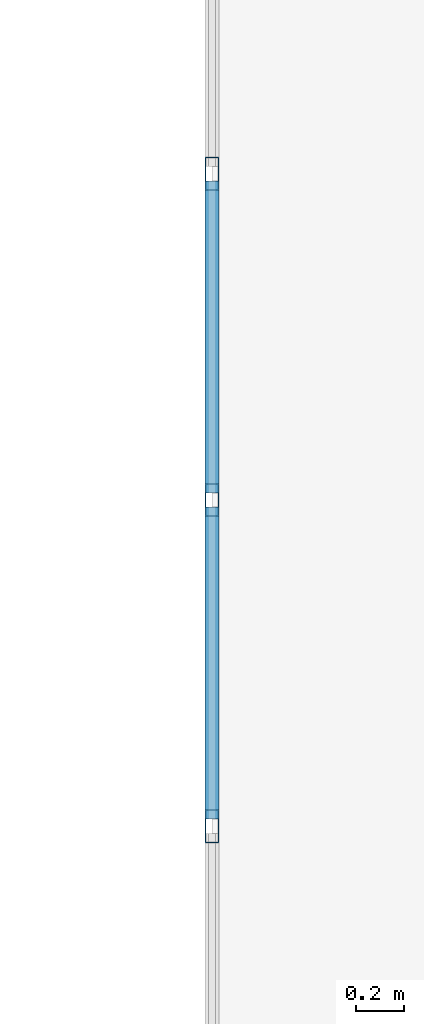
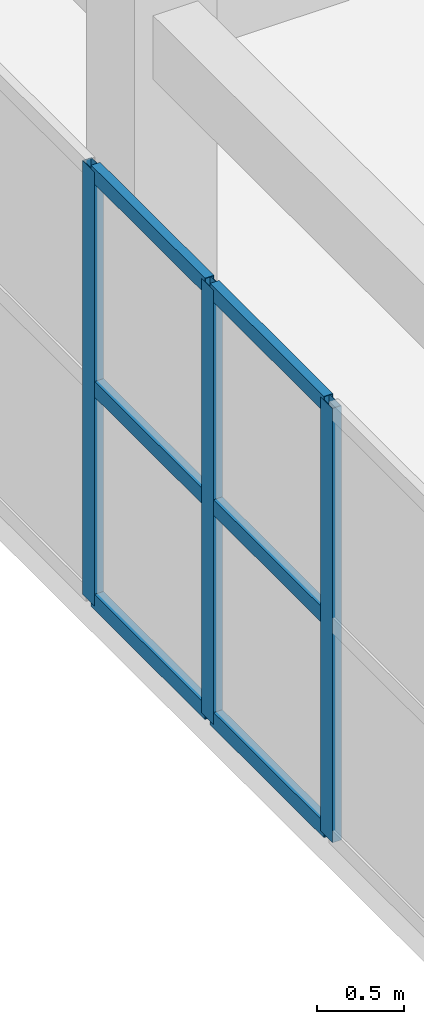
# One storey, part 53 of 148: 9 members, 1 element without a shape of its own.
"""IFC4 building model written with IfcOpenShell, lengths in metres."""

from ifc_helpers import new_model, si_unit, direction, frame, origin, origin_2d, place, context, subcontext, project, spatial, hollow_rectangle, extrude, material, layer, layer_set, material_profile, profile_set, type_object, element, aggregate, save


model = new_model("IFC4")

# Units and contexts
model_context = context("Model", 3, precision=1e-05, world=origin(), true_north=direction((0.0, 1.0)))
body_context = subcontext(model_context, "Body", "Model", "MODEL_VIEW")
ifc_project = project(units=[si_unit("LENGTHUNIT", "METRE"), si_unit("AREAUNIT", "SQUARE_METRE"), si_unit("VOLUMEUNIT", "CUBIC_METRE"), si_unit("PLANEANGLEUNIT", "RADIAN"), si_unit("MASSUNIT", "GRAM", prefix="KILO")], contexts=[model_context])

# Site, building, storey
site_placement = place(None, origin())
site = spatial("IfcSite", under=ifc_project, at=site_placement, CompositionType="ELEMENT")
building_placement = place(site_placement, origin())
building = spatial("IfcBuilding", under=site, at=building_placement, Name="Trelvath General Hospital", CompositionType="ELEMENT")
storey_placement = place(building_placement, frame((0.0, 0.0, 12.89990234375)))
storey = spatial("IfcBuildingStorey", under=building, at=storey_placement, Name="L03", CompositionType="ELEMENT", Elevation=12.89990234375)

# Curtain wall, members
ifc_material_1 = material(Name="Anodised aluminium and low-E glass", Category="aluminium")
ifc_layer = layer(ifc_material_1, 0.14990234375)
ifc_layer_set = layer_set([ifc_layer], Name="Anodised aluminium and low-E glass")
curtain_wall_type = type_object("IfcCurtainWallType", Name="CW CrystalCube 824 306 15", PredefinedType="USERDEFINED", material=ifc_layer_set)
curtain_wall_placement = place(storey_placement, origin())
curtain_wall = element("IfcCurtainWall", 1, at=curtain_wall_placement, inside=storey, type_object=curtain_wall_type, Name="Crystal Cube Curtain Wall CUBE-W-T1 W4 L03", ObjectType="Unitised Glazed Curtain Wall", PredefinedType="USERDEFINED")
ifc_material_2 = material(Name="Anodised aluminium", Category="aluminium")
ifc_material_profile_1 = material_profile(ifc_material_2, hollow_rectangle(XDim=0.06005859375, YDim=0.139892578125, WallThickness=0.00390625, at=origin_2d()), Name="RHS60x140x4")
ifc_profile_set_1 = profile_set([ifc_material_profile_1], Name="Anodised aluminium")
member_type_1 = type_object("IfcMemberType", Name="CurtainMullion 60x140", PredefinedType="MULLION", material=ifc_profile_set_1)
member_1_placement = place(storey_placement, frame((53.199951171875, 68.6533203125, 0.0), z_axis=(0.0, 0.0, 1.0), x_axis=(-1.0, 0.0, 0.0)))
member_1 = element("IfcMember", 2, at=member_1_placement, type_object=member_type_1, Name="CW-240 mullion 2", PredefinedType="MULLION", context=body_context, shape_type="SweptSolid", body=[
    extrude(hollow_rectangle(XDim=0.06005859375, YDim=0.139892578125, WallThickness=0.00390625, at=origin_2d()), origin(), (0.0, 0.0, 1.0), 3.06005859375),
])
member_2_placement = place(storey_placement, frame((53.199951171875, 70.026611328125, 0.0), z_axis=(0.0, 0.0, 1.0), x_axis=(-1.0, 0.0, 0.0)))
member_2 = element("IfcMember", 3, at=member_2_placement, type_object=member_type_1, Name="CW-240 mullion 3", PredefinedType="MULLION", context=body_context, shape_type="SweptSolid", body=[
    extrude(hollow_rectangle(XDim=0.06005859375, YDim=0.139892578125, WallThickness=0.00390625, at=origin_2d()), origin(), (0.0, 0.0, 1.0), 3.06005859375),
])
member_3_placement = place(storey_placement, frame((53.199951171875, 71.39990234375, 0.0), z_axis=(0.0, 0.0, 1.0), x_axis=(-1.0, 0.0, 0.0)))
member_3 = element("IfcMember", 4, at=member_3_placement, type_object=member_type_1, Name="CW-240 mullion 4", PredefinedType="MULLION", context=body_context, shape_type="SweptSolid", body=[
    extrude(hollow_rectangle(XDim=0.06005859375, YDim=0.139892578125, WallThickness=0.00390625, at=origin_2d()), origin(), (0.0, 0.0, 1.0), 3.06005859375),
])
ifc_material_3 = material(Name="Anodised aluminium", Category="aluminium")
ifc_material_profile_2 = material_profile(ifc_material_3, hollow_rectangle(XDim=0.06005859375, YDim=0.110107421875, WallThickness=0.00390625, at=origin_2d()), Name="RHS60x110x4")
ifc_profile_set_2 = profile_set([ifc_material_profile_2], Name="Anodised aluminium")
member_type_2 = type_object("IfcMemberType", Name="CurtainTransom 60x110", PredefinedType="USERDEFINED", material=ifc_profile_set_2)
member_4_placement = place(storey_placement, frame((53.199951171875, 68.683349609375, 0.030029296875), z_axis=(0.0, 1.0, 0.0), x_axis=(-1.0, 0.0, 0.0)))
member_4 = element("IfcMember", 5, at=member_4_placement, type_object=member_type_2, Name="CW-240 transom 2.1", ObjectType="TRANSOM", PredefinedType="USERDEFINED", context=body_context, shape_type="SweptSolid", body=[
    extrude(hollow_rectangle(XDim=0.06005859375, YDim=0.110107421875, WallThickness=0.00390625, at=origin_2d()), origin(), (0.0, 0.0, 1.0), 1.313232421875),
])
member_5_placement = place(storey_placement, frame((53.199951171875, 68.683349609375, 1.530029296875), z_axis=(0.0, 1.0, 0.0), x_axis=(-1.0, 0.0, 0.0)))
member_5 = element("IfcMember", 6, at=member_5_placement, type_object=member_type_2, Name="CW-240 transom 2.2", ObjectType="TRANSOM", PredefinedType="USERDEFINED", context=body_context, shape_type="SweptSolid", body=[
    extrude(hollow_rectangle(XDim=0.06005859375, YDim=0.110107421875, WallThickness=0.00390625, at=origin_2d()), origin(), (0.0, 0.0, 1.0), 1.313232421875),
])
member_6_placement = place(storey_placement, frame((53.199951171875, 68.683349609375, 3.030029296875), z_axis=(0.0, 1.0, 0.0), x_axis=(-1.0, 0.0, 0.0)))
member_6 = element("IfcMember", 7, at=member_6_placement, type_object=member_type_2, Name="CW-240 transom 2.3", ObjectType="TRANSOM", PredefinedType="USERDEFINED", context=body_context, shape_type="SweptSolid", body=[
    extrude(hollow_rectangle(XDim=0.06005859375, YDim=0.110107421875, WallThickness=0.00390625, at=origin_2d()), origin(), (0.0, 0.0, 1.0), 1.313232421875),
])
member_7_placement = place(storey_placement, frame((53.199951171875, 70.056640625, 0.030029296875), z_axis=(0.0, 1.0, 0.0), x_axis=(-1.0, 0.0, 0.0)))
member_7 = element("IfcMember", 8, at=member_7_placement, type_object=member_type_2, Name="CW-240 transom 3.1", ObjectType="TRANSOM", PredefinedType="USERDEFINED", context=body_context, shape_type="SweptSolid", body=[
    extrude(hollow_rectangle(XDim=0.06005859375, YDim=0.110107421875, WallThickness=0.00390625, at=origin_2d()), origin(), (0.0, 0.0, 1.0), 1.3134765625),
])
member_8_placement = place(storey_placement, frame((53.199951171875, 70.056640625, 1.530029296875), z_axis=(0.0, 1.0, 0.0), x_axis=(-1.0, 0.0, 0.0)))
member_8 = element("IfcMember", 9, at=member_8_placement, type_object=member_type_2, Name="CW-240 transom 3.2", ObjectType="TRANSOM", PredefinedType="USERDEFINED", context=body_context, shape_type="SweptSolid", body=[
    extrude(hollow_rectangle(XDim=0.06005859375, YDim=0.110107421875, WallThickness=0.00390625, at=origin_2d()), origin(), (0.0, 0.0, 1.0), 1.3134765625),
])
member_9_placement = place(storey_placement, frame((53.199951171875, 70.056640625, 3.030029296875), z_axis=(0.0, 1.0, 0.0), x_axis=(-1.0, 0.0, 0.0)))
member_9 = element("IfcMember", 10, at=member_9_placement, type_object=member_type_2, Name="CW-240 transom 3.3", ObjectType="TRANSOM", PredefinedType="USERDEFINED", context=body_context, shape_type="SweptSolid", body=[
    extrude(hollow_rectangle(XDim=0.06005859375, YDim=0.110107421875, WallThickness=0.00390625, at=origin_2d()), origin(), (0.0, 0.0, 1.0), 1.3134765625),
])
aggregate(curtain_wall, [member_1, member_2, member_3, member_4, member_5, member_6, member_7, member_8, member_9])

save(model, "model.ifc")
